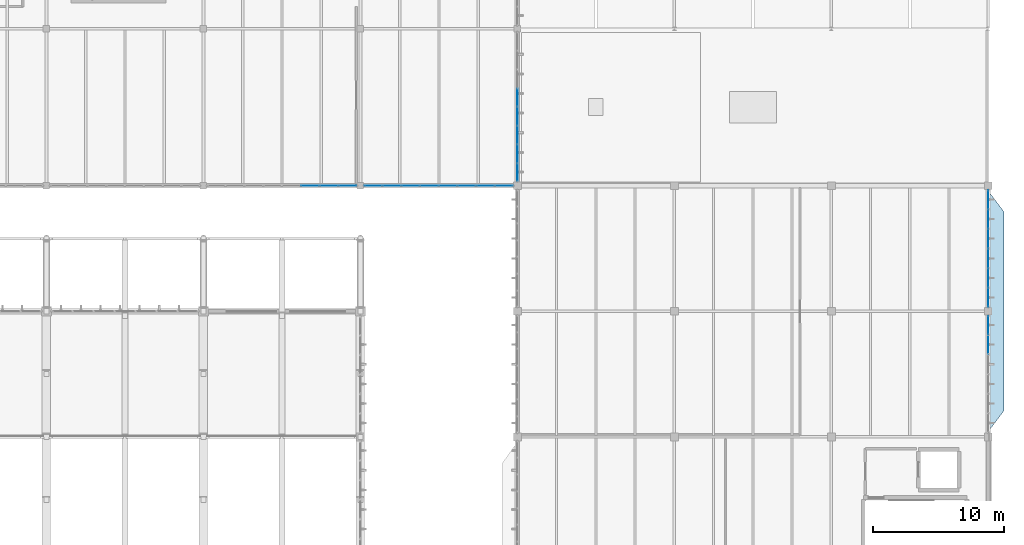
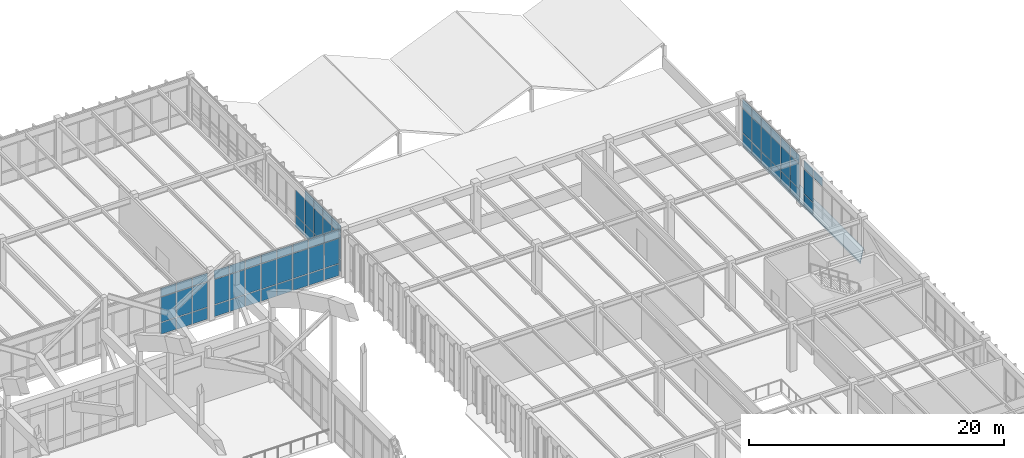
# One storey, part 206 of 236: 69 plates, 1 slab, 5 elements without a shape of their own.
"""IFC4 building model written with IfcOpenShell, lengths in metres."""

from ifc_helpers import new_model, si_unit, direction, frame, origin, origin_2d, place, context, subcontext, project, spatial, polyline, rectangle, outline, extrude, material, layer, layer_set, type_object, element, aggregate, save


model = new_model("IFC4")

# Units and contexts
model_context = context("Model", 3, precision=1e-05, world=origin(), true_north=direction((0.0, 1.0)))
body_context = subcontext(model_context, "Body", "Model", "MODEL_VIEW")
ifc_project = project(units=[si_unit("LENGTHUNIT", "METRE"), si_unit("AREAUNIT", "SQUARE_METRE"), si_unit("VOLUMEUNIT", "CUBIC_METRE"), si_unit("PLANEANGLEUNIT", "RADIAN"), si_unit("MASSUNIT", "GRAM", prefix="KILO")], contexts=[model_context])

# Site, building, storey
site_placement = place(None, origin())
site = spatial("IfcSite", under=ifc_project, at=site_placement, CompositionType="ELEMENT")
building_placement = place(site_placement, origin())
building = spatial("IfcBuilding", under=site, at=building_placement, Name="Pandanus Reach Market Hall", CompositionType="ELEMENT")
storey_placement = place(building_placement, frame((0.0, 0.0, 5.39990234375)))
storey = spatial("IfcBuildingStorey", under=building, at=storey_placement, Name="L01", CompositionType="ELEMENT", Elevation=5.39990234375)

# Curtain wall, plates
ifc_material_1 = material(Name="Bronze anodised aluminium and low-E glass", Category="aluminium")
ifc_layer_1 = layer(ifc_material_1, 0.159912109375, Name="CW-28")
ifc_layer_set_1 = layer_set([ifc_layer_1], Name="Bronze anodised aluminium and low-E glass")
curtain_wall_type_1 = type_object("IfcCurtainWallType", Name="CW-28", PredefinedType="NOTDEFINED", material=ifc_layer_set_1)
curtain_wall_1_placement = place(storey_placement, origin())
curtain_wall_1 = element("IfcCurtainWall", 1, at=curtain_wall_1_placement, inside=storey, type_object=curtain_wall_type_1, Name="Glazed curtain wall CW-28 CW-0089", PredefinedType="NOTDEFINED")
ifc_material_2 = material(Name="Solar-control double glazing", Category="glass")
ifc_layer_2 = layer(ifc_material_2, 0.028076171875, Name="CW-P1")
ifc_layer_set_2 = layer_set([ifc_layer_2], Name="Solar-control double glazing")
plate_type = type_object("IfcPlateType", Name="CW-P1", PredefinedType="CURTAIN_PANEL", material=ifc_layer_set_2)
plate_1_placement = place(storey_placement, frame((180.0, 83.85009765625, 3.6328125), z_axis=(0.0, 0.0, 1.0), x_axis=(0.0, 1.0, 0.0)))
plate_1 = element("IfcPlate", 2, at=plate_1_placement, type_object=plate_type, Name="CW-28 panel 5.3", PredefinedType="CURTAIN_PANEL", context=body_context, shape_type="SweptSolid", body=[
    extrude(rectangle(XDim=1.43505859375, YDim=0.028076171875, at=origin_2d()), origin(), (0.0, 0.0, 1.0), 0.802490234375),
])
plate_2_placement = place(storey_placement, frame((180.0, 85.333740234375, 0.065185546875), z_axis=(0.0, 0.0, 1.0), x_axis=(0.0, 1.0, 0.0)))
plate_2 = element("IfcPlate", 3, at=plate_2_placement, type_object=plate_type, Name="CW-28 panel 6.1", PredefinedType="CURTAIN_PANEL", context=body_context, shape_type="SweptSolid", body=[
    extrude(rectangle(XDim=1.402587890625, YDim=0.028076171875, at=origin_2d()), origin(), (0.0, 0.0, 1.0), 1.1025390625),
])
plate_3_placement = place(storey_placement, frame((180.0, 85.333740234375, 1.232666015625), z_axis=(0.0, 0.0, 1.0), x_axis=(0.0, 1.0, 0.0)))
plate_3 = element("IfcPlate", 4, at=plate_3_placement, type_object=plate_type, Name="CW-28 panel 6.2", PredefinedType="CURTAIN_PANEL", context=body_context, shape_type="SweptSolid", body=[
    extrude(rectangle(XDim=1.402587890625, YDim=0.028076171875, at=origin_2d()), origin(), (0.0, 0.0, 1.0), 2.3349609375),
])
plate_4_placement = place(storey_placement, frame((180.0, 85.333740234375, 3.6328125), z_axis=(0.0, 0.0, 1.0), x_axis=(0.0, 1.0, 0.0)))
plate_4 = element("IfcPlate", 5, at=plate_4_placement, type_object=plate_type, Name="CW-28 panel 6.3", PredefinedType="CURTAIN_PANEL", context=body_context, shape_type="SweptSolid", body=[
    extrude(rectangle(XDim=1.402587890625, YDim=0.028076171875, at=origin_2d()), origin(), (0.0, 0.0, 1.0), 0.802490234375),
])
aggregate(curtain_wall_1, [plate_1, plate_2, plate_3, plate_4])

curtain_wall_2_placement = place(storey_placement, origin())
curtain_wall_2 = element("IfcCurtainWall", 6, at=curtain_wall_2_placement, inside=storey, type_object=curtain_wall_type_1, Name="Glazed curtain wall CW-28 CW-0090", PredefinedType="NOTDEFINED")
plate_5_placement = place(storey_placement, frame((180.0, 87.46630859375, 0.065185546875), z_axis=(0.0, 0.0, 1.0), x_axis=(0.0, 1.0, 0.0)))
plate_5 = element("IfcPlate", 7, at=plate_5_placement, type_object=plate_type, Name="CW-28 panel 1.1", PredefinedType="CURTAIN_PANEL", context=body_context, shape_type="SweptSolid", body=[
    extrude(rectangle(XDim=1.402587890625, YDim=0.028076171875, at=origin_2d()), origin(), (0.0, 0.0, 1.0), 1.1025390625),
])
plate_6_placement = place(storey_placement, frame((180.0, 87.46630859375, 1.232666015625), z_axis=(0.0, 0.0, 1.0), x_axis=(0.0, 1.0, 0.0)))
plate_6 = element("IfcPlate", 8, at=plate_6_placement, type_object=plate_type, Name="CW-28 panel 1.2", PredefinedType="CURTAIN_PANEL", context=body_context, shape_type="SweptSolid", body=[
    extrude(rectangle(XDim=1.402587890625, YDim=0.028076171875, at=origin_2d()), origin(), (0.0, 0.0, 1.0), 2.3349609375),
])
plate_7_placement = place(storey_placement, frame((180.0, 87.46630859375, 3.6328125), z_axis=(0.0, 0.0, 1.0), x_axis=(0.0, 1.0, 0.0)))
plate_7 = element("IfcPlate", 9, at=plate_7_placement, type_object=plate_type, Name="CW-28 panel 1.3", PredefinedType="CURTAIN_PANEL", context=body_context, shape_type="SweptSolid", body=[
    extrude(rectangle(XDim=1.402587890625, YDim=0.028076171875, at=origin_2d()), origin(), (0.0, 0.0, 1.0), 0.802490234375),
])
plate_8_placement = place(storey_placement, frame((180.0, 88.949951171875, 0.065185546875), z_axis=(0.0, 0.0, 1.0), x_axis=(0.0, 1.0, 0.0)))
plate_8 = element("IfcPlate", 10, at=plate_8_placement, type_object=plate_type, Name="CW-28 panel 2.1", PredefinedType="CURTAIN_PANEL", context=body_context, shape_type="SweptSolid", body=[
    extrude(rectangle(XDim=1.43505859375, YDim=0.028076171875, at=origin_2d()), origin(), (0.0, 0.0, 1.0), 1.1025390625),
])
plate_9_placement = place(storey_placement, frame((180.0, 88.949951171875, 1.232666015625), z_axis=(0.0, 0.0, 1.0), x_axis=(0.0, 1.0, 0.0)))
plate_9 = element("IfcPlate", 11, at=plate_9_placement, type_object=plate_type, Name="CW-28 panel 2.2", PredefinedType="CURTAIN_PANEL", context=body_context, shape_type="SweptSolid", body=[
    extrude(rectangle(XDim=1.43505859375, YDim=0.028076171875, at=origin_2d()), origin(), (0.0, 0.0, 1.0), 2.3349609375),
])
plate_10_placement = place(storey_placement, frame((180.0, 88.949951171875, 3.6328125), z_axis=(0.0, 0.0, 1.0), x_axis=(0.0, 1.0, 0.0)))
plate_10 = element("IfcPlate", 12, at=plate_10_placement, type_object=plate_type, Name="CW-28 panel 2.3", PredefinedType="CURTAIN_PANEL", context=body_context, shape_type="SweptSolid", body=[
    extrude(rectangle(XDim=1.43505859375, YDim=0.028076171875, at=origin_2d()), origin(), (0.0, 0.0, 1.0), 0.802490234375),
])
plate_11_placement = place(storey_placement, frame((180.0, 90.449951171875, 0.065185546875), z_axis=(0.0, 0.0, 1.0), x_axis=(0.0, 1.0, 0.0)))
plate_11 = element("IfcPlate", 13, at=plate_11_placement, type_object=plate_type, Name="CW-28 panel 3.1", PredefinedType="CURTAIN_PANEL", context=body_context, shape_type="SweptSolid", body=[
    extrude(rectangle(XDim=1.43505859375, YDim=0.028076171875, at=origin_2d()), origin(), (0.0, 0.0, 1.0), 1.1025390625),
])
plate_12_placement = place(storey_placement, frame((180.0, 90.449951171875, 1.232666015625), z_axis=(0.0, 0.0, 1.0), x_axis=(0.0, 1.0, 0.0)))
plate_12 = element("IfcPlate", 14, at=plate_12_placement, type_object=plate_type, Name="CW-28 panel 3.2", PredefinedType="CURTAIN_PANEL", context=body_context, shape_type="SweptSolid", body=[
    extrude(rectangle(XDim=1.43505859375, YDim=0.028076171875, at=origin_2d()), origin(), (0.0, 0.0, 1.0), 2.3349609375),
])
plate_13_placement = place(storey_placement, frame((180.0, 90.449951171875, 3.6328125), z_axis=(0.0, 0.0, 1.0), x_axis=(0.0, 1.0, 0.0)))
plate_13 = element("IfcPlate", 15, at=plate_13_placement, type_object=plate_type, Name="CW-28 panel 3.3", PredefinedType="CURTAIN_PANEL", context=body_context, shape_type="SweptSolid", body=[
    extrude(rectangle(XDim=1.43505859375, YDim=0.028076171875, at=origin_2d()), origin(), (0.0, 0.0, 1.0), 0.802490234375),
])
plate_14_placement = place(storey_placement, frame((180.0, 91.949951171875, 0.065185546875), z_axis=(0.0, 0.0, 1.0), x_axis=(0.0, 1.0, 0.0)))
plate_14 = element("IfcPlate", 16, at=plate_14_placement, type_object=plate_type, Name="CW-28 panel 4.1", PredefinedType="CURTAIN_PANEL", context=body_context, shape_type="SweptSolid", body=[
    extrude(rectangle(XDim=1.43505859375, YDim=0.028076171875, at=origin_2d()), origin(), (0.0, 0.0, 1.0), 1.1025390625),
])
plate_15_placement = place(storey_placement, frame((180.0, 91.949951171875, 1.232666015625), z_axis=(0.0, 0.0, 1.0), x_axis=(0.0, 1.0, 0.0)))
plate_15 = element("IfcPlate", 17, at=plate_15_placement, type_object=plate_type, Name="CW-28 panel 4.2", PredefinedType="CURTAIN_PANEL", context=body_context, shape_type="SweptSolid", body=[
    extrude(rectangle(XDim=1.43505859375, YDim=0.028076171875, at=origin_2d()), origin(), (0.0, 0.0, 1.0), 2.3349609375),
])
plate_16_placement = place(storey_placement, frame((180.0, 91.949951171875, 3.6328125), z_axis=(0.0, 0.0, 1.0), x_axis=(0.0, 1.0, 0.0)))
plate_16 = element("IfcPlate", 18, at=plate_16_placement, type_object=plate_type, Name="CW-28 panel 4.3", PredefinedType="CURTAIN_PANEL", context=body_context, shape_type="SweptSolid", body=[
    extrude(rectangle(XDim=1.43505859375, YDim=0.028076171875, at=origin_2d()), origin(), (0.0, 0.0, 1.0), 0.802490234375),
])
plate_17_placement = place(storey_placement, frame((180.0, 93.449951171875, 0.065185546875), z_axis=(0.0, 0.0, 1.0), x_axis=(0.0, 1.0, 0.0)))
plate_17 = element("IfcPlate", 19, at=plate_17_placement, type_object=plate_type, Name="CW-28 panel 5.1", PredefinedType="CURTAIN_PANEL", context=body_context, shape_type="SweptSolid", body=[
    extrude(rectangle(XDim=1.43505859375, YDim=0.028076171875, at=origin_2d()), origin(), (0.0, 0.0, 1.0), 1.1025390625),
])
plate_18_placement = place(storey_placement, frame((180.0, 93.449951171875, 1.232666015625), z_axis=(0.0, 0.0, 1.0), x_axis=(0.0, 1.0, 0.0)))
plate_18 = element("IfcPlate", 20, at=plate_18_placement, type_object=plate_type, Name="CW-28 panel 5.2", PredefinedType="CURTAIN_PANEL", context=body_context, shape_type="SweptSolid", body=[
    extrude(rectangle(XDim=1.43505859375, YDim=0.028076171875, at=origin_2d()), origin(), (0.0, 0.0, 1.0), 2.3349609375),
])
plate_19_placement = place(storey_placement, frame((180.0, 93.449951171875, 3.6328125), z_axis=(0.0, 0.0, 1.0), x_axis=(0.0, 1.0, 0.0)))
plate_19 = element("IfcPlate", 21, at=plate_19_placement, type_object=plate_type, Name="CW-28 panel 5.3", PredefinedType="CURTAIN_PANEL", context=body_context, shape_type="SweptSolid", body=[
    extrude(rectangle(XDim=1.43505859375, YDim=0.028076171875, at=origin_2d()), origin(), (0.0, 0.0, 1.0), 0.802490234375),
])
plate_20_placement = place(storey_placement, frame((180.0, 94.933837890625, 0.065185546875), z_axis=(0.0, 0.0, 1.0), x_axis=(0.0, 1.0, 0.0)))
plate_20 = element("IfcPlate", 22, at=plate_20_placement, type_object=plate_type, Name="CW-28 panel 6.1", PredefinedType="CURTAIN_PANEL", context=body_context, shape_type="SweptSolid", body=[
    extrude(rectangle(XDim=1.402587890625, YDim=0.028076171875, at=origin_2d()), origin(), (0.0, 0.0, 1.0), 1.1025390625),
])
plate_21_placement = place(storey_placement, frame((180.0, 94.933837890625, 1.232666015625), z_axis=(0.0, 0.0, 1.0), x_axis=(0.0, 1.0, 0.0)))
plate_21 = element("IfcPlate", 23, at=plate_21_placement, type_object=plate_type, Name="CW-28 panel 6.2", PredefinedType="CURTAIN_PANEL", context=body_context, shape_type="SweptSolid", body=[
    extrude(rectangle(XDim=1.402587890625, YDim=0.028076171875, at=origin_2d()), origin(), (0.0, 0.0, 1.0), 2.3349609375),
])
plate_22_placement = place(storey_placement, frame((180.0, 94.933837890625, 3.6328125), z_axis=(0.0, 0.0, 1.0), x_axis=(0.0, 1.0, 0.0)))
plate_22 = element("IfcPlate", 24, at=plate_22_placement, type_object=plate_type, Name="CW-28 panel 6.3", PredefinedType="CURTAIN_PANEL", context=body_context, shape_type="SweptSolid", body=[
    extrude(rectangle(XDim=1.402587890625, YDim=0.028076171875, at=origin_2d()), origin(), (0.0, 0.0, 1.0), 0.802490234375),
])
aggregate(curtain_wall_2, [plate_5, plate_6, plate_7, plate_8, plate_9, plate_10, plate_11, plate_12, plate_13, plate_14, plate_15, plate_16, plate_17, plate_18, plate_19, plate_20, plate_21, plate_22])

ifc_layer_3 = layer(ifc_material_1, 0.159912109375, Name="CW-38")
ifc_layer_set_3 = layer_set([ifc_layer_3], Name="Bronze anodised aluminium and low-E glass")
curtain_wall_type_2 = type_object("IfcCurtainWallType", Name="CW-38", PredefinedType="NOTDEFINED", material=ifc_layer_set_3)
curtain_wall_3_placement = place(storey_placement, origin())
curtain_wall_3 = element("IfcCurtainWall", 25, at=curtain_wall_3_placement, inside=storey, type_object=curtain_wall_type_2, Name="Glazed curtain wall CW-38 CW-0143", PredefinedType="NOTDEFINED")
plate_23_placement = place(storey_placement, frame((128.15625, 96.0, 0.065185546875), z_axis=(0.0, 0.0, 1.0), x_axis=(1.0, 0.0, 0.0)))
plate_23 = element("IfcPlate", 26, at=plate_23_placement, type_object=plate_type, Name="CW-38 panel 6.1", PredefinedType="CURTAIN_PANEL", context=body_context, shape_type="SweptSolid", body=[
    extrude(rectangle(XDim=1.37255859375, YDim=0.028076171875, at=origin_2d()), origin(), (0.0, 0.0, 1.0), 1.1025390625),
])
plate_24_placement = place(storey_placement, frame((128.15625, 96.0, 1.232421875), z_axis=(0.0, 0.0, 1.0), x_axis=(1.0, 0.0, 0.0)))
plate_24 = element("IfcPlate", 27, at=plate_24_placement, type_object=plate_type, Name="CW-38 panel 6.2", PredefinedType="CURTAIN_PANEL", context=body_context, shape_type="SweptSolid", body=[
    extrude(rectangle(XDim=1.37255859375, YDim=0.028076171875, at=origin_2d()), origin(), (0.0, 0.0, 1.0), 2.385009765625),
])
plate_25_placement = place(storey_placement, frame((128.15625, 96.0, 3.6826171875), z_axis=(0.0, 0.0, 1.0), x_axis=(1.0, 0.0, 0.0)))
plate_25 = element("IfcPlate", 28, at=plate_25_placement, type_object=plate_type, Name="CW-38 panel 6.3", PredefinedType="CURTAIN_PANEL", context=body_context, shape_type="SweptSolid", body=[
    extrude(rectangle(XDim=1.37255859375, YDim=0.028076171875, at=origin_2d()), origin(), (0.0, 0.0, 1.0), 0.802490234375),
])
plate_26_placement = place(storey_placement, frame((129.59375, 96.0, 0.065185546875), z_axis=(0.0, 0.0, 1.0), x_axis=(1.0, 0.0, 0.0)))
plate_26 = element("IfcPlate", 29, at=plate_26_placement, type_object=plate_type, Name="CW-38 panel 7.1", PredefinedType="CURTAIN_PANEL", context=body_context, shape_type="SweptSolid", body=[
    extrude(rectangle(XDim=1.37255859375, YDim=0.028076171875, at=origin_2d()), origin(), (0.0, 0.0, 1.0), 1.1025390625),
])
plate_27_placement = place(storey_placement, frame((129.59375, 96.0, 1.232421875), z_axis=(0.0, 0.0, 1.0), x_axis=(1.0, 0.0, 0.0)))
plate_27 = element("IfcPlate", 30, at=plate_27_placement, type_object=plate_type, Name="CW-38 panel 7.2", PredefinedType="CURTAIN_PANEL", context=body_context, shape_type="SweptSolid", body=[
    extrude(rectangle(XDim=1.37255859375, YDim=0.028076171875, at=origin_2d()), origin(), (0.0, 0.0, 1.0), 2.385009765625),
])
plate_28_placement = place(storey_placement, frame((129.59375, 96.0, 3.6826171875), z_axis=(0.0, 0.0, 1.0), x_axis=(1.0, 0.0, 0.0)))
plate_28 = element("IfcPlate", 31, at=plate_28_placement, type_object=plate_type, Name="CW-38 panel 7.3", PredefinedType="CURTAIN_PANEL", context=body_context, shape_type="SweptSolid", body=[
    extrude(rectangle(XDim=1.37255859375, YDim=0.028076171875, at=origin_2d()), origin(), (0.0, 0.0, 1.0), 0.802490234375),
])
plate_29_placement = place(storey_placement, frame((131.014892578125, 96.0, 0.065185546875), z_axis=(0.0, 0.0, 1.0), x_axis=(1.0, 0.0, 0.0)))
plate_29 = element("IfcPlate", 32, at=plate_29_placement, type_object=plate_type, Name="CW-38 panel 8.1", PredefinedType="CURTAIN_PANEL", context=body_context, shape_type="SweptSolid", body=[
    extrude(rectangle(XDim=1.340087890625, YDim=0.028076171875, at=origin_2d()), origin(), (0.0, 0.0, 1.0), 1.1025390625),
])
plate_30_placement = place(storey_placement, frame((131.014892578125, 96.0, 1.232421875), z_axis=(0.0, 0.0, 1.0), x_axis=(1.0, 0.0, 0.0)))
plate_30 = element("IfcPlate", 33, at=plate_30_placement, type_object=plate_type, Name="CW-38 panel 8.2", PredefinedType="CURTAIN_PANEL", context=body_context, shape_type="SweptSolid", body=[
    extrude(rectangle(XDim=1.340087890625, YDim=0.028076171875, at=origin_2d()), origin(), (0.0, 0.0, 1.0), 2.385009765625),
])
plate_31_placement = place(storey_placement, frame((131.014892578125, 96.0, 3.6826171875), z_axis=(0.0, 0.0, 1.0), x_axis=(1.0, 0.0, 0.0)))
plate_31 = element("IfcPlate", 34, at=plate_31_placement, type_object=plate_type, Name="CW-38 panel 8.3", PredefinedType="CURTAIN_PANEL", context=body_context, shape_type="SweptSolid", body=[
    extrude(rectangle(XDim=1.340087890625, YDim=0.028076171875, at=origin_2d()), origin(), (0.0, 0.0, 1.0), 0.802490234375),
])
aggregate(curtain_wall_3, [plate_23, plate_24, plate_25, plate_26, plate_27, plate_28, plate_29, plate_30, plate_31])

ifc_layer_4 = layer(ifc_material_1, 0.159912109375, Name="CW-40")
ifc_layer_set_4 = layer_set([ifc_layer_4], Name="Bronze anodised aluminium and low-E glass")
curtain_wall_type_3 = type_object("IfcCurtainWallType", Name="CW-40", PredefinedType="NOTDEFINED", material=ifc_layer_set_4)
curtain_wall_4_placement = place(storey_placement, origin())
curtain_wall_4 = element("IfcCurtainWall", 35, at=curtain_wall_4_placement, inside=storey, type_object=curtain_wall_type_3, Name="Glazed curtain wall CW-40 CW-0145", PredefinedType="NOTDEFINED")
plate_32_placement = place(storey_placement, frame((132.98193359375, 96.0, 0.065185546875), z_axis=(0.0, 0.0, 1.0), x_axis=(1.0, 0.0, 0.0)))
plate_32 = element("IfcPlate", 36, at=plate_32_placement, type_object=plate_type, Name="CW-40 panel 1.1", PredefinedType="CURTAIN_PANEL", context=body_context, shape_type="SweptSolid", body=[
    extrude(rectangle(XDim=1.333740234375, YDim=0.028076171875, at=origin_2d()), origin(), (0.0, 0.0, 1.0), 1.1025390625),
])
plate_33_placement = place(storey_placement, frame((132.98193359375, 96.0, 1.232421875), z_axis=(0.0, 0.0, 1.0), x_axis=(1.0, 0.0, 0.0)))
plate_33 = element("IfcPlate", 37, at=plate_33_placement, type_object=plate_type, Name="CW-40 panel 1.2", PredefinedType="CURTAIN_PANEL", context=body_context, shape_type="SweptSolid", body=[
    extrude(rectangle(XDim=1.333740234375, YDim=0.028076171875, at=origin_2d()), origin(), (0.0, 0.0, 1.0), 2.385009765625),
])
plate_34_placement = place(storey_placement, frame((132.98193359375, 96.0, 3.6826171875), z_axis=(0.0, 0.0, 1.0), x_axis=(1.0, 0.0, 0.0)))
plate_34 = element("IfcPlate", 38, at=plate_34_placement, type_object=plate_type, Name="CW-40 panel 1.3", PredefinedType="CURTAIN_PANEL", context=body_context, shape_type="SweptSolid", body=[
    extrude(rectangle(XDim=1.333740234375, YDim=0.028076171875, at=origin_2d()), origin(), (0.0, 0.0, 1.0), 0.802490234375),
])
plate_35_placement = place(storey_placement, frame((134.39697265625, 96.0, 0.065185546875), z_axis=(0.0, 0.0, 1.0), x_axis=(1.0, 0.0, 0.0)))
plate_35 = element("IfcPlate", 39, at=plate_35_placement, type_object=plate_type, Name="CW-40 panel 2.1", PredefinedType="CURTAIN_PANEL", context=body_context, shape_type="SweptSolid", body=[
    extrude(rectangle(XDim=1.3662109375, YDim=0.028076171875, at=origin_2d()), origin(), (0.0, 0.0, 1.0), 1.1025390625),
])
plate_36_placement = place(storey_placement, frame((134.39697265625, 96.0, 1.232421875), z_axis=(0.0, 0.0, 1.0), x_axis=(1.0, 0.0, 0.0)))
plate_36 = element("IfcPlate", 40, at=plate_36_placement, type_object=plate_type, Name="CW-40 panel 2.2", PredefinedType="CURTAIN_PANEL", context=body_context, shape_type="SweptSolid", body=[
    extrude(rectangle(XDim=1.3662109375, YDim=0.028076171875, at=origin_2d()), origin(), (0.0, 0.0, 1.0), 2.385009765625),
])
plate_37_placement = place(storey_placement, frame((134.39697265625, 96.0, 3.6826171875), z_axis=(0.0, 0.0, 1.0), x_axis=(1.0, 0.0, 0.0)))
plate_37 = element("IfcPlate", 41, at=plate_37_placement, type_object=plate_type, Name="CW-40 panel 2.3", PredefinedType="CURTAIN_PANEL", context=body_context, shape_type="SweptSolid", body=[
    extrude(rectangle(XDim=1.3662109375, YDim=0.028076171875, at=origin_2d()), origin(), (0.0, 0.0, 1.0), 0.802490234375),
])
plate_38_placement = place(storey_placement, frame((135.828125, 96.0, 0.065185546875), z_axis=(0.0, 0.0, 1.0), x_axis=(1.0, 0.0, 0.0)))
plate_38 = element("IfcPlate", 42, at=plate_38_placement, type_object=plate_type, Name="CW-40 panel 3.1", PredefinedType="CURTAIN_PANEL", context=body_context, shape_type="SweptSolid", body=[
    extrude(rectangle(XDim=1.3662109375, YDim=0.028076171875, at=origin_2d()), origin(), (0.0, 0.0, 1.0), 1.1025390625),
])
plate_39_placement = place(storey_placement, frame((135.828125, 96.0, 1.232421875), z_axis=(0.0, 0.0, 1.0), x_axis=(1.0, 0.0, 0.0)))
plate_39 = element("IfcPlate", 43, at=plate_39_placement, type_object=plate_type, Name="CW-40 panel 3.2", PredefinedType="CURTAIN_PANEL", context=body_context, shape_type="SweptSolid", body=[
    extrude(rectangle(XDim=1.3662109375, YDim=0.028076171875, at=origin_2d()), origin(), (0.0, 0.0, 1.0), 2.385009765625),
])
plate_40_placement = place(storey_placement, frame((135.828125, 96.0, 3.6826171875), z_axis=(0.0, 0.0, 1.0), x_axis=(1.0, 0.0, 0.0)))
plate_40 = element("IfcPlate", 44, at=plate_40_placement, type_object=plate_type, Name="CW-40 panel 3.3", PredefinedType="CURTAIN_PANEL", context=body_context, shape_type="SweptSolid", body=[
    extrude(rectangle(XDim=1.3662109375, YDim=0.028076171875, at=origin_2d()), origin(), (0.0, 0.0, 1.0), 0.802490234375),
])
plate_41_placement = place(storey_placement, frame((137.25927734375, 96.0, 0.065185546875), z_axis=(0.0, 0.0, 1.0), x_axis=(1.0, 0.0, 0.0)))
plate_41 = element("IfcPlate", 45, at=plate_41_placement, type_object=plate_type, Name="CW-40 panel 4.1", PredefinedType="CURTAIN_PANEL", context=body_context, shape_type="SweptSolid", body=[
    extrude(rectangle(XDim=1.3662109375, YDim=0.028076171875, at=origin_2d()), origin(), (0.0, 0.0, 1.0), 1.1025390625),
])
plate_42_placement = place(storey_placement, frame((137.25927734375, 96.0, 1.232421875), z_axis=(0.0, 0.0, 1.0), x_axis=(1.0, 0.0, 0.0)))
plate_42 = element("IfcPlate", 46, at=plate_42_placement, type_object=plate_type, Name="CW-40 panel 4.2", PredefinedType="CURTAIN_PANEL", context=body_context, shape_type="SweptSolid", body=[
    extrude(rectangle(XDim=1.3662109375, YDim=0.028076171875, at=origin_2d()), origin(), (0.0, 0.0, 1.0), 2.385009765625),
])
plate_43_placement = place(storey_placement, frame((137.25927734375, 96.0, 3.6826171875), z_axis=(0.0, 0.0, 1.0), x_axis=(1.0, 0.0, 0.0)))
plate_43 = element("IfcPlate", 47, at=plate_43_placement, type_object=plate_type, Name="CW-40 panel 4.3", PredefinedType="CURTAIN_PANEL", context=body_context, shape_type="SweptSolid", body=[
    extrude(rectangle(XDim=1.3662109375, YDim=0.028076171875, at=origin_2d()), origin(), (0.0, 0.0, 1.0), 0.802490234375),
])
plate_44_placement = place(storey_placement, frame((138.690673828125, 96.0, 0.065185546875), z_axis=(0.0, 0.0, 1.0), x_axis=(1.0, 0.0, 0.0)))
plate_44 = element("IfcPlate", 48, at=plate_44_placement, type_object=plate_type, Name="CW-40 panel 5.1", PredefinedType="CURTAIN_PANEL", context=body_context, shape_type="SweptSolid", body=[
    extrude(rectangle(XDim=1.3662109375, YDim=0.028076171875, at=origin_2d()), origin(), (0.0, 0.0, 1.0), 1.1025390625),
])
plate_45_placement = place(storey_placement, frame((138.690673828125, 96.0, 1.232421875), z_axis=(0.0, 0.0, 1.0), x_axis=(1.0, 0.0, 0.0)))
plate_45 = element("IfcPlate", 49, at=plate_45_placement, type_object=plate_type, Name="CW-40 panel 5.2", PredefinedType="CURTAIN_PANEL", context=body_context, shape_type="SweptSolid", body=[
    extrude(rectangle(XDim=1.3662109375, YDim=0.028076171875, at=origin_2d()), origin(), (0.0, 0.0, 1.0), 2.385009765625),
])
plate_46_placement = place(storey_placement, frame((138.690673828125, 96.0, 3.6826171875), z_axis=(0.0, 0.0, 1.0), x_axis=(1.0, 0.0, 0.0)))
plate_46 = element("IfcPlate", 50, at=plate_46_placement, type_object=plate_type, Name="CW-40 panel 5.3", PredefinedType="CURTAIN_PANEL", context=body_context, shape_type="SweptSolid", body=[
    extrude(rectangle(XDim=1.3662109375, YDim=0.028076171875, at=origin_2d()), origin(), (0.0, 0.0, 1.0), 0.802490234375),
])
plate_47_placement = place(storey_placement, frame((140.121826171875, 96.0, 0.065185546875), z_axis=(0.0, 0.0, 1.0), x_axis=(1.0, 0.0, 0.0)))
plate_47 = element("IfcPlate", 51, at=plate_47_placement, type_object=plate_type, Name="CW-40 panel 6.1", PredefinedType="CURTAIN_PANEL", context=body_context, shape_type="SweptSolid", body=[
    extrude(rectangle(XDim=1.3662109375, YDim=0.028076171875, at=origin_2d()), origin(), (0.0, 0.0, 1.0), 1.1025390625),
])
plate_48_placement = place(storey_placement, frame((140.121826171875, 96.0, 1.232421875), z_axis=(0.0, 0.0, 1.0), x_axis=(1.0, 0.0, 0.0)))
plate_48 = element("IfcPlate", 52, at=plate_48_placement, type_object=plate_type, Name="CW-40 panel 6.2", PredefinedType="CURTAIN_PANEL", context=body_context, shape_type="SweptSolid", body=[
    extrude(rectangle(XDim=1.3662109375, YDim=0.028076171875, at=origin_2d()), origin(), (0.0, 0.0, 1.0), 2.385009765625),
])
plate_49_placement = place(storey_placement, frame((140.121826171875, 96.0, 3.6826171875), z_axis=(0.0, 0.0, 1.0), x_axis=(1.0, 0.0, 0.0)))
plate_49 = element("IfcPlate", 53, at=plate_49_placement, type_object=plate_type, Name="CW-40 panel 6.3", PredefinedType="CURTAIN_PANEL", context=body_context, shape_type="SweptSolid", body=[
    extrude(rectangle(XDim=1.3662109375, YDim=0.028076171875, at=origin_2d()), origin(), (0.0, 0.0, 1.0), 0.802490234375),
])
plate_50_placement = place(storey_placement, frame((141.55322265625, 96.0, 0.065185546875), z_axis=(0.0, 0.0, 1.0), x_axis=(1.0, 0.0, 0.0)))
plate_50 = element("IfcPlate", 54, at=plate_50_placement, type_object=plate_type, Name="CW-40 panel 7.1", PredefinedType="CURTAIN_PANEL", context=body_context, shape_type="SweptSolid", body=[
    extrude(rectangle(XDim=1.3662109375, YDim=0.028076171875, at=origin_2d()), origin(), (0.0, 0.0, 1.0), 1.1025390625),
])
plate_51_placement = place(storey_placement, frame((141.55322265625, 96.0, 1.232421875), z_axis=(0.0, 0.0, 1.0), x_axis=(1.0, 0.0, 0.0)))
plate_51 = element("IfcPlate", 55, at=plate_51_placement, type_object=plate_type, Name="CW-40 panel 7.2", PredefinedType="CURTAIN_PANEL", context=body_context, shape_type="SweptSolid", body=[
    extrude(rectangle(XDim=1.3662109375, YDim=0.028076171875, at=origin_2d()), origin(), (0.0, 0.0, 1.0), 2.385009765625),
])
plate_52_placement = place(storey_placement, frame((141.55322265625, 96.0, 3.6826171875), z_axis=(0.0, 0.0, 1.0), x_axis=(1.0, 0.0, 0.0)))
plate_52 = element("IfcPlate", 56, at=plate_52_placement, type_object=plate_type, Name="CW-40 panel 7.3", PredefinedType="CURTAIN_PANEL", context=body_context, shape_type="SweptSolid", body=[
    extrude(rectangle(XDim=1.3662109375, YDim=0.028076171875, at=origin_2d()), origin(), (0.0, 0.0, 1.0), 0.802490234375),
])
plate_53_placement = place(storey_placement, frame((142.968017578125, 96.0, 0.065185546875), z_axis=(0.0, 0.0, 1.0), x_axis=(1.0, 0.0, 0.0)))
plate_53 = element("IfcPlate", 57, at=plate_53_placement, type_object=plate_type, Name="CW-40 panel 8.1", PredefinedType="CURTAIN_PANEL", context=body_context, shape_type="SweptSolid", body=[
    extrude(rectangle(XDim=1.333740234375, YDim=0.028076171875, at=origin_2d()), origin(), (0.0, 0.0, 1.0), 1.1025390625),
])
plate_54_placement = place(storey_placement, frame((142.968017578125, 96.0, 1.232421875), z_axis=(0.0, 0.0, 1.0), x_axis=(1.0, 0.0, 0.0)))
plate_54 = element("IfcPlate", 58, at=plate_54_placement, type_object=plate_type, Name="CW-40 panel 8.2", PredefinedType="CURTAIN_PANEL", context=body_context, shape_type="SweptSolid", body=[
    extrude(rectangle(XDim=1.333740234375, YDim=0.028076171875, at=origin_2d()), origin(), (0.0, 0.0, 1.0), 2.385009765625),
])
plate_55_placement = place(storey_placement, frame((142.968017578125, 96.0, 3.6826171875), z_axis=(0.0, 0.0, 1.0), x_axis=(1.0, 0.0, 0.0)))
plate_55 = element("IfcPlate", 59, at=plate_55_placement, type_object=plate_type, Name="CW-40 panel 8.3", PredefinedType="CURTAIN_PANEL", context=body_context, shape_type="SweptSolid", body=[
    extrude(rectangle(XDim=1.333740234375, YDim=0.028076171875, at=origin_2d()), origin(), (0.0, 0.0, 1.0), 0.802490234375),
])
aggregate(curtain_wall_4, [plate_32, plate_33, plate_34, plate_35, plate_36, plate_37, plate_38, plate_39, plate_40, plate_41, plate_42, plate_43, plate_44, plate_45, plate_46, plate_47, plate_48, plate_49, plate_50, plate_51, plate_52, plate_53, plate_54, plate_55])

curtain_wall_5_placement = place(storey_placement, origin())
curtain_wall_5 = element("IfcCurtainWall", 60, at=curtain_wall_5_placement, inside=storey, type_object=curtain_wall_type_3, Name="Glazed curtain wall CW-40 CW-0149", PredefinedType="NOTDEFINED")
plate_56_placement = place(storey_placement, frame((144.0, 97.031982421875, 0.065185546875), z_axis=(0.0, 0.0, 1.0), x_axis=(0.0, 1.0, 0.0)))
plate_56 = element("IfcPlate", 61, at=plate_56_placement, type_object=plate_type, Name="CW-40 panel 1.1", PredefinedType="CURTAIN_PANEL", context=body_context, shape_type="SweptSolid", body=[
    extrude(rectangle(XDim=1.333740234375, YDim=0.028076171875, at=origin_2d()), origin(), (0.0, 0.0, 1.0), 1.1025390625),
])
plate_57_placement = place(storey_placement, frame((144.0, 97.031982421875, 1.232421875), z_axis=(0.0, 0.0, 1.0), x_axis=(0.0, 1.0, 0.0)))
plate_57 = element("IfcPlate", 62, at=plate_57_placement, type_object=plate_type, Name="CW-40 panel 1.2", PredefinedType="CURTAIN_PANEL", context=body_context, shape_type="SweptSolid", body=[
    extrude(rectangle(XDim=1.333740234375, YDim=0.028076171875, at=origin_2d()), origin(), (0.0, 0.0, 1.0), 2.385009765625),
])
plate_58_placement = place(storey_placement, frame((144.0, 97.031982421875, 3.6826171875), z_axis=(0.0, 0.0, 1.0), x_axis=(0.0, 1.0, 0.0)))
plate_58 = element("IfcPlate", 63, at=plate_58_placement, type_object=plate_type, Name="CW-40 panel 1.3", PredefinedType="CURTAIN_PANEL", context=body_context, shape_type="SweptSolid", body=[
    extrude(rectangle(XDim=1.333740234375, YDim=0.028076171875, at=origin_2d()), origin(), (0.0, 0.0, 1.0), 0.802490234375),
])
plate_59_placement = place(storey_placement, frame((144.0, 98.44677734375, 0.065185546875), z_axis=(0.0, 0.0, 1.0), x_axis=(0.0, 1.0, 0.0)))
plate_59 = element("IfcPlate", 64, at=plate_59_placement, type_object=plate_type, Name="CW-40 panel 2.1", PredefinedType="CURTAIN_PANEL", context=body_context, shape_type="SweptSolid", body=[
    extrude(rectangle(XDim=1.3662109375, YDim=0.028076171875, at=origin_2d()), origin(), (0.0, 0.0, 1.0), 1.1025390625),
])
plate_60_placement = place(storey_placement, frame((144.0, 98.44677734375, 1.232421875), z_axis=(0.0, 0.0, 1.0), x_axis=(0.0, 1.0, 0.0)))
plate_60 = element("IfcPlate", 65, at=plate_60_placement, type_object=plate_type, Name="CW-40 panel 2.2", PredefinedType="CURTAIN_PANEL", context=body_context, shape_type="SweptSolid", body=[
    extrude(rectangle(XDim=1.3662109375, YDim=0.028076171875, at=origin_2d()), origin(), (0.0, 0.0, 1.0), 2.385009765625),
])
plate_61_placement = place(storey_placement, frame((144.0, 98.44677734375, 3.6826171875), z_axis=(0.0, 0.0, 1.0), x_axis=(0.0, 1.0, 0.0)))
plate_61 = element("IfcPlate", 66, at=plate_61_placement, type_object=plate_type, Name="CW-40 panel 2.3", PredefinedType="CURTAIN_PANEL", context=body_context, shape_type="SweptSolid", body=[
    extrude(rectangle(XDim=1.3662109375, YDim=0.028076171875, at=origin_2d()), origin(), (0.0, 0.0, 1.0), 0.802490234375),
])
plate_62_placement = place(storey_placement, frame((144.0, 99.878173828125, 0.065185546875), z_axis=(0.0, 0.0, 1.0), x_axis=(0.0, 1.0, 0.0)))
plate_62 = element("IfcPlate", 67, at=plate_62_placement, type_object=plate_type, Name="CW-40 panel 3.1", PredefinedType="CURTAIN_PANEL", context=body_context, shape_type="SweptSolid", body=[
    extrude(rectangle(XDim=1.3662109375, YDim=0.028076171875, at=origin_2d()), origin(), (0.0, 0.0, 1.0), 1.1025390625),
])
plate_63_placement = place(storey_placement, frame((144.0, 99.878173828125, 1.232421875), z_axis=(0.0, 0.0, 1.0), x_axis=(0.0, 1.0, 0.0)))
plate_63 = element("IfcPlate", 68, at=plate_63_placement, type_object=plate_type, Name="CW-40 panel 3.2", PredefinedType="CURTAIN_PANEL", context=body_context, shape_type="SweptSolid", body=[
    extrude(rectangle(XDim=1.3662109375, YDim=0.028076171875, at=origin_2d()), origin(), (0.0, 0.0, 1.0), 2.385009765625),
])
plate_64_placement = place(storey_placement, frame((144.0, 99.878173828125, 3.6826171875), z_axis=(0.0, 0.0, 1.0), x_axis=(0.0, 1.0, 0.0)))
plate_64 = element("IfcPlate", 69, at=plate_64_placement, type_object=plate_type, Name="CW-40 panel 3.3", PredefinedType="CURTAIN_PANEL", context=body_context, shape_type="SweptSolid", body=[
    extrude(rectangle(XDim=1.3662109375, YDim=0.028076171875, at=origin_2d()), origin(), (0.0, 0.0, 1.0), 0.802490234375),
])
plate_65_placement = place(storey_placement, frame((144.0, 101.309326171875, 0.065185546875), z_axis=(0.0, 0.0, 1.0), x_axis=(0.0, 1.0, 0.0)))
plate_65 = element("IfcPlate", 70, at=plate_65_placement, type_object=plate_type, Name="CW-40 panel 4.1", PredefinedType="CURTAIN_PANEL", context=body_context, shape_type="SweptSolid", body=[
    extrude(rectangle(XDim=1.3662109375, YDim=0.028076171875, at=origin_2d()), origin(), (0.0, 0.0, 1.0), 1.1025390625),
])
plate_66_placement = place(storey_placement, frame((144.0, 101.309326171875, 1.232421875), z_axis=(0.0, 0.0, 1.0), x_axis=(0.0, 1.0, 0.0)))
plate_66 = element("IfcPlate", 71, at=plate_66_placement, type_object=plate_type, Name="CW-40 panel 4.2", PredefinedType="CURTAIN_PANEL", context=body_context, shape_type="SweptSolid", body=[
    extrude(rectangle(XDim=1.3662109375, YDim=0.028076171875, at=origin_2d()), origin(), (0.0, 0.0, 1.0), 2.385009765625),
])
plate_67_placement = place(storey_placement, frame((144.0, 101.309326171875, 3.6826171875), z_axis=(0.0, 0.0, 1.0), x_axis=(0.0, 1.0, 0.0)))
plate_67 = element("IfcPlate", 72, at=plate_67_placement, type_object=plate_type, Name="CW-40 panel 4.3", PredefinedType="CURTAIN_PANEL", context=body_context, shape_type="SweptSolid", body=[
    extrude(rectangle(XDim=1.3662109375, YDim=0.028076171875, at=origin_2d()), origin(), (0.0, 0.0, 1.0), 0.802490234375),
])
plate_68_placement = place(storey_placement, frame((144.0, 102.74072265625, 0.065185546875), z_axis=(0.0, 0.0, 1.0), x_axis=(0.0, 1.0, 0.0)))
plate_68 = element("IfcPlate", 73, at=plate_68_placement, type_object=plate_type, Name="CW-40 panel 5.1", PredefinedType="CURTAIN_PANEL", context=body_context, shape_type="SweptSolid", body=[
    extrude(rectangle(XDim=1.3662109375, YDim=0.028076171875, at=origin_2d()), origin(), (0.0, 0.0, 1.0), 1.1025390625),
])
plate_69_placement = place(storey_placement, frame((144.0, 102.74072265625, 1.232421875), z_axis=(0.0, 0.0, 1.0), x_axis=(0.0, 1.0, 0.0)))
plate_69 = element("IfcPlate", 74, at=plate_69_placement, type_object=plate_type, Name="CW-40 panel 5.2", PredefinedType="CURTAIN_PANEL", context=body_context, shape_type="SweptSolid", body=[
    extrude(rectangle(XDim=1.3662109375, YDim=0.028076171875, at=origin_2d()), origin(), (0.0, 0.0, 1.0), 2.385009765625),
])
aggregate(curtain_wall_5, [plate_56, plate_57, plate_58, plate_59, plate_60, plate_61, plate_62, plate_63, plate_64, plate_65, plate_66, plate_67, plate_68, plate_69])

# Slab
ifc_material_3 = material(Name="Concrete N50 (50 MPa)", Category="concrete")
ifc_layer_5 = layer(ifc_material_3, 0.179931640625, Name="RF-CNP-180")
ifc_layer_set_5 = layer_set([ifc_layer_5], Name="Concrete N50 (50 MPa)")
slab_type = type_object("IfcSlabType", Name="RF-CNP-180", PredefinedType="ROOF", material=ifc_layer_set_5)
slab_placement = place(storey_placement, frame((0.0, 0.0, -0.179931640625)))
element("IfcSlab", 75, at=slab_placement, inside=storey, type_object=slab_type, Name="Sculpted concrete brise-soleil hood 10", PredefinedType="ROOF", context=body_context, shape_type="SweptSolid", body=[
    extrude(outline(polyline([(180.0, 77.199951171875), (180.0, 95.60009765625), (181.199951171875, 94.0), (181.199951171875, 78.800048828125), (180.0, 77.199951171875)])), origin(), (0.0, 0.0, 1.0), 0.179931640625),
])

save(model, "model.ifc")
